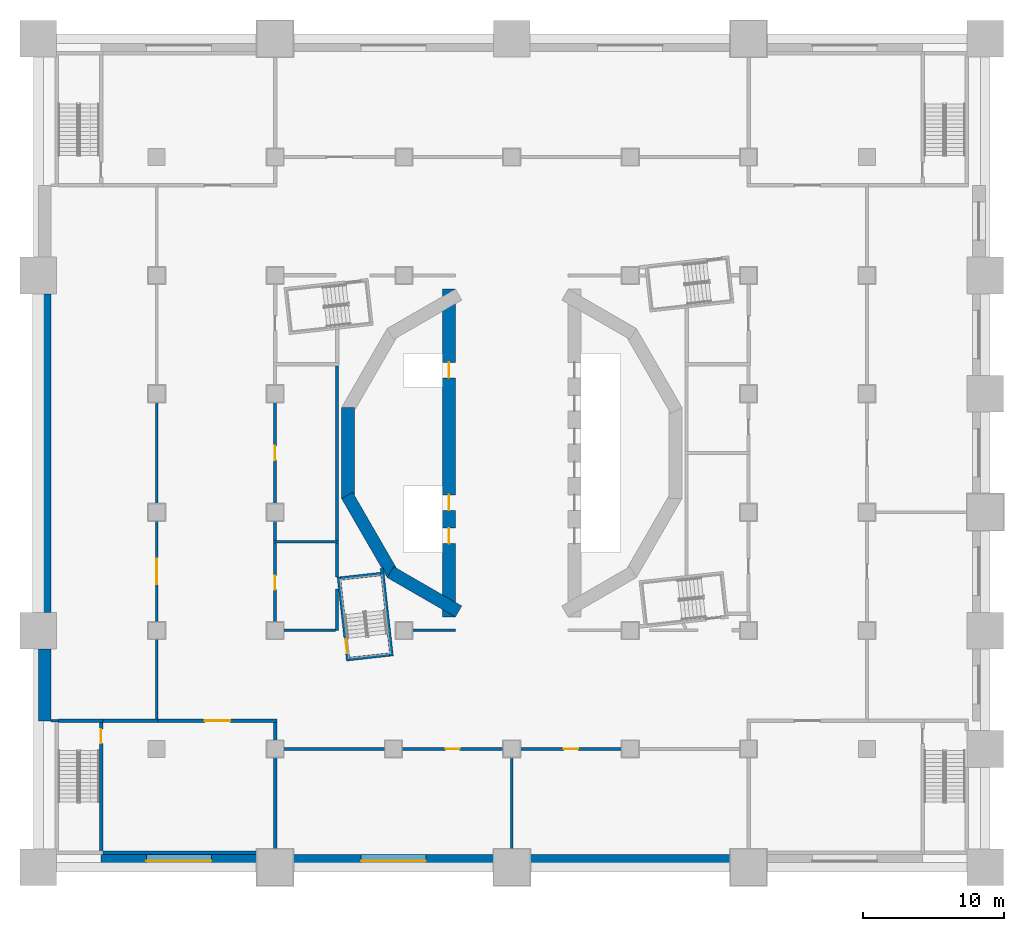
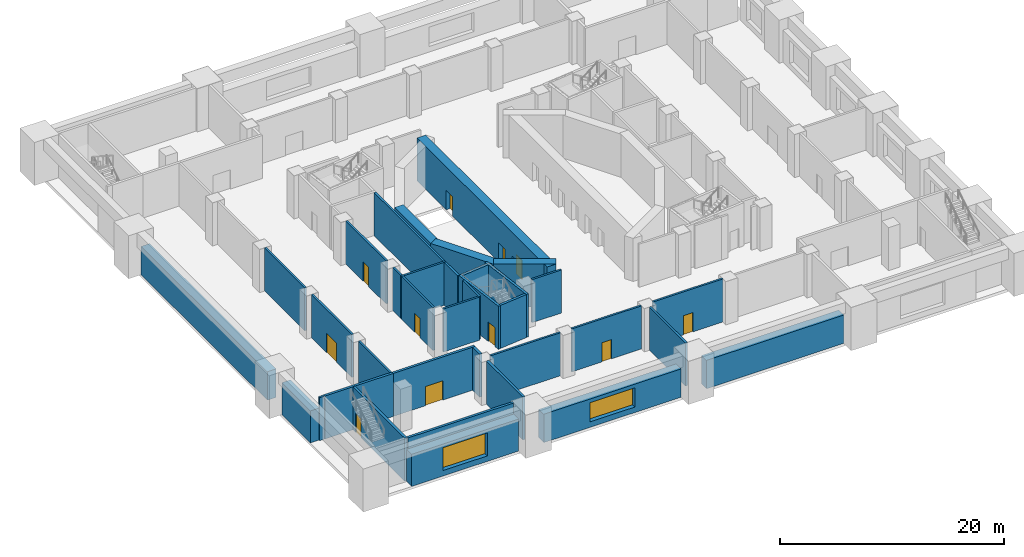
# One storey, part 2 of 17: 37 walls, 11 doors, 2 windows, 13 openings.
"""IFC4 building model written with IfcOpenShell, lengths in metres."""

from ifc_helpers import new_model, si_unit, direction, frame, frame_2d, origin, place, context, subcontext, project, spatial, rectangle, extrude, material, layer, layer_set, type_object, element, fill, save


model = new_model("IFC4")

# Units and contexts
model_context = context("Model", 3, precision=1e-05, world=origin(), true_north=direction((0.0, 1.0)))
body_context = subcontext(model_context, "Body", "Model", "MODEL_VIEW")
ifc_project = project(units=[si_unit("LENGTHUNIT", "METRE"), si_unit("AREAUNIT", "SQUARE_METRE"), si_unit("VOLUMEUNIT", "CUBIC_METRE"), si_unit("PLANEANGLEUNIT", "RADIAN"), si_unit("MASSUNIT", "GRAM", prefix="KILO")], contexts=[model_context])

# Site, building, storey
site_placement = place(None, origin())
site = spatial("IfcSite", under=ifc_project, at=site_placement, CompositionType="ELEMENT")
building_placement = place(site_placement, origin())
building = spatial("IfcBuilding", under=site, at=building_placement, Name="Cantera Rosa Tower", CompositionType="ELEMENT")
storey_placement = place(building_placement, frame((0.0, 0.0, 27.0)))
storey = spatial("IfcBuildingStorey", under=building, at=storey_placement, Name="L04", CompositionType="ELEMENT", Elevation=27.0)

# Walls
ifc_material_1 = material(Name="Masonry blockwork", Category="masonry")
ifc_layer_1 = layer(ifc_material_1, 0.199951171875)
ifc_layer_set_1 = layer_set([ifc_layer_1], Name="Blockwork partition 200")
wall_type_1 = type_object("IfcWallType", Name="Blockwork partition 200", PredefinedType="PARTITIONING", material=ifc_layer_set_1)
wall_1_placement = place(storey_placement, frame((-16.199951171875, -12.57666015625, 0.0), z_axis=(0.0, 0.0, 1.0), x_axis=(1.0, 0.0, 0.0)))
element("IfcWall", 1, at=wall_1_placement, inside=storey, type_object=wall_type_1, Name="Partition L04-1", PredefinedType="PARTITIONING", context=body_context, shape_type="SweptSolid", body=[
    extrude(rectangle(XDim=3.699951171875, YDim=0.199951171875, at=frame_2d((1.85009765625, 0.0))), origin(), (0.0, 0.0, 1.0), 4.699951171875),
])
wall_2_placement = place(storey_placement, frame((-7.050048828125, -12.57666015625, 0.0), z_axis=(0.0, 0.0, 1.0), x_axis=(1.0, 0.0, 0.0)))
element("IfcWall", 2, at=wall_2_placement, inside=storey, type_object=wall_type_1, Name="Partition L04-2", PredefinedType="PARTITIONING", context=body_context, shape_type="SweptSolid", body=[
    extrude(rectangle(XDim=3.050048828125, YDim=0.199951171875, at=frame_2d((1.52490234375, 0.0))), origin(), (0.0, 0.0, 1.0), 4.699951171875),
])
wall_3_placement = place(storey_placement, frame((-12.39990234375, -12.57666015625, 0.0), z_axis=(0.0, 0.0, 1.0), x_axis=(0.0, 1.0, 0.0)))
element("IfcWall", 3, at=wall_3_placement, inside=storey, type_object=wall_type_1, Name="Partition L04-7", PredefinedType="PARTITIONING", context=body_context, shape_type="SweptSolid", body=[
    extrude(rectangle(XDim=2.921142578125, YDim=0.199951171875, at=frame_2d((1.46044921875, 0.0))), origin(), (0.0, 0.0, 1.0), 4.699951171875),
])
wall_4_placement = place(storey_placement, frame((-12.39990234375, -8.802490234375, 0.0), z_axis=(0.0, 0.0, 1.0), x_axis=(0.0, 1.0, 0.0)))
element("IfcWall", 4, at=wall_4_placement, inside=storey, type_object=wall_type_1, Name="Partition L04-8", PredefinedType="PARTITIONING", context=body_context, shape_type="SweptSolid", body=[
    extrude(rectangle(XDim=2.402587890625, YDim=0.199951171875, at=frame_2d((1.201171875, 0.0))), origin(), (0.0, 0.0, 1.0), 4.699951171875),
])
wall_5_placement = place(storey_placement, frame((-12.39990234375, -6.199951171875, 0.0), z_axis=(0.0, 0.0, 1.0), x_axis=(0.0, 1.0, 0.0)))
element("IfcWall", 5, at=wall_5_placement, inside=storey, type_object=wall_type_1, Name="Partition L04-9", PredefinedType="PARTITIONING", context=body_context, shape_type="SweptSolid", body=[
    extrude(rectangle(XDim=12.375, YDim=0.199951171875, at=frame_2d((6.1875, 0.0))), origin(), (0.0, 0.0, 1.0), 4.699951171875),
])

# Wall, opening, door
wall_6_placement = place(storey_placement, frame((-16.800048828125, -12.0, 0.0), z_axis=(0.0, 0.0, 1.0), x_axis=(0.0, 1.0, 0.0)))
wall_6 = element("IfcWall", 6, at=wall_6_placement, inside=storey, type_object=wall_type_1, Name="Partition L04-37", PredefinedType="PARTITIONING", context=body_context, shape_type="SweptSolid", body=[
    extrude(rectangle(XDim=5.60009765625, YDim=0.199951171875, at=frame_2d((2.800048828125, 0.0))), origin(), (0.0, 0.0, 1.0), 4.699951171875),
])
opening_1_placement = place(wall_6_placement, frame((2.300048828125, 0.0, 0.0)))
opening_1 = element("IfcOpeningElement", 7, at=opening_1_placement, cuts=wall_6, Name="Opening L04-010", PredefinedType="OPENING", context=body_context, shape_type="SweptSolid", body=[
    extrude(rectangle(XDim=1.0, YDim=2.10009765625, at=frame_2d((0.5, 1.050048828125))), frame((0.0, 0.10986328125, 0.0), z_axis=(0.0, -1.0, 0.0), x_axis=(1.0, 0.0, 0.0)), (0.0, 0.0, 1.0), 0.219970703125),
])
ifc_material_2 = material(Name="Timber", Category="wood")
door_type_1 = type_object("IfcDoorType", Name="Door 1000x2100", OperationType="NOTDEFINED", PredefinedType="DOOR", material=ifc_material_2)
door_1_placement = place(opening_1_placement, origin())
door_1 = element("IfcDoor", 8, at=door_1_placement, inside=storey, type_object=door_type_1, Name="Door L04-010", OverallHeight=2.10009765625, OverallWidth=1.0, PredefinedType="DOOR", context=body_context, shape_type="SweptSolid", body=[
    extrude(rectangle(XDim=1.0, YDim=2.10009765625, at=frame_2d((0.5, 1.050048828125))), frame((0.0, 0.02490234375, 0.0), z_axis=(0.0, -1.0, 0.0), x_axis=(1.0, 0.0, 0.0)), (0.0, 0.0, 1.0), 0.050048828125),
])
fill(opening_1, door_1)

# Wall
wall_7_placement = place(storey_placement, frame((-16.800048828125, -6.199951171875, 0.0), z_axis=(0.0, 0.0, 1.0), x_axis=(0.0, 1.0, 0.0)))
element("IfcWall", 9, at=wall_7_placement, inside=storey, type_object=wall_type_1, Name="Partition L04-38", PredefinedType="PARTITIONING", context=body_context, shape_type="SweptSolid", body=[
    extrude(rectangle(XDim=1.39990234375, YDim=0.199951171875, at=frame_2d((0.699951171875, 0.0))), origin(), (0.0, 0.0, 1.0), 4.699951171875),
])

# Wall, opening, door
wall_8_placement = place(storey_placement, frame((-16.800048828125, -3.60009765625, 0.0), z_axis=(0.0, 0.0, 1.0), x_axis=(0.0, 1.0, 0.0)))
wall_8 = element("IfcWall", 10, at=wall_8_placement, inside=storey, type_object=wall_type_1, Name="Partition L04-39", PredefinedType="PARTITIONING", context=body_context, shape_type="SweptSolid", body=[
    extrude(rectangle(XDim=7.2001953125, YDim=0.199951171875, at=frame_2d((3.60009765625, 0.0))), origin(), (0.0, 0.0, 1.0), 4.699951171875),
])
opening_2_placement = place(wall_8_placement, frame((3.10009765625, 0.0, 0.0)))
opening_2 = element("IfcOpeningElement", 11, at=opening_2_placement, cuts=wall_8, Name="Opening L04-011", PredefinedType="OPENING", context=body_context, shape_type="SweptSolid", body=[
    extrude(rectangle(XDim=1.0, YDim=2.10009765625, at=frame_2d((0.5, 1.050048828125))), frame((0.0, 0.10986328125, 0.0), z_axis=(0.0, -1.0, 0.0), x_axis=(1.0, 0.0, 0.0)), (0.0, 0.0, 1.0), 0.219970703125),
])
door_2_placement = place(opening_2_placement, origin())
door_2 = element("IfcDoor", 12, at=door_2_placement, inside=storey, type_object=door_type_1, Name="Door L04-011", OverallHeight=2.10009765625, OverallWidth=1.0, PredefinedType="DOOR", context=body_context, shape_type="SweptSolid", body=[
    extrude(rectangle(XDim=1.0, YDim=2.10009765625, at=frame_2d((0.5, 1.050048828125))), frame((0.0, 0.02490234375, 0.0), z_axis=(0.0, -1.0, 0.0), x_axis=(1.0, 0.0, 0.0)), (0.0, 0.0, 1.0), 0.050048828125),
])
fill(opening_2, door_2)

# Walls
wall_9_placement = place(storey_placement, frame((-16.89990234375, -6.300048828125, 0.0), z_axis=(0.0, 0.0, 1.0), x_axis=(1.0, 0.0, 0.0)))
element("IfcWall", 13, at=wall_9_placement, inside=storey, type_object=wall_type_1, Name="Partition L04-44", PredefinedType="PARTITIONING", context=body_context, shape_type="SweptSolid", body=[
    extrude(rectangle(XDim=4.599853515625, YDim=0.199951171875, at=frame_2d((2.2998046875, 0.0))), origin(), (0.0, 0.0, 1.0), 4.699951171875),
])
wall_10_placement = place(storey_placement, frame((-32.699951171875, -19.0, 0.0), z_axis=(0.0, 0.0, 1.0), x_axis=(1.0, 0.0, 0.0)))
element("IfcWall", 14, at=wall_10_placement, inside=storey, type_object=wall_type_1, Name="Partition L04-65", PredefinedType="PARTITIONING", context=body_context, shape_type="SweptSolid", body=[
    extrude(rectangle(XDim=0.52490234375, YDim=0.199951171875, at=frame_2d((0.262451171875, 0.0))), origin(), (0.0, 0.0, 1.0), 4.699951171875),
])
wall_11_placement = place(storey_placement, frame((0.0, -28.10009765625, 0.0), z_axis=(0.0, 0.0, 1.0), x_axis=(0.0, 1.0, 0.0)))
element("IfcWall", 15, at=wall_11_placement, inside=storey, type_object=wall_type_1, Name="Partition L04-80", PredefinedType="PARTITIONING", context=body_context, shape_type="SweptSolid", body=[
    extrude(rectangle(XDim=6.5, YDim=0.199951171875, at=frame_2d((3.25, 0.0))), origin(), (0.0, 0.0, 1.0), 4.699951171875),
])
wall_12_placement = place(storey_placement, frame((-16.199951171875, -21.0, 0.0), z_axis=(0.0, 0.0, 1.0), x_axis=(1.0, 0.0, 0.0)))
element("IfcWall", 16, at=wall_12_placement, inside=storey, type_object=wall_type_1, Name="Partition L04-81", PredefinedType="PARTITIONING", context=body_context, shape_type="SweptSolid", body=[
    extrude(rectangle(XDim=7.199951171875, YDim=0.199951171875, at=frame_2d((3.60009765625, 0.0))), origin(), (0.0, 0.0, 1.0), 4.699951171875),
])

# Wall, opening, door
wall_13_placement = place(storey_placement, frame((-7.800048828125, -21.0, 0.0), z_axis=(0.0, 0.0, 1.0), x_axis=(1.0, 0.0, 0.0)))
wall_13 = element("IfcWall", 17, at=wall_13_placement, inside=storey, type_object=wall_type_1, Name="Partition L04-82", PredefinedType="PARTITIONING", context=body_context, shape_type="SweptSolid", body=[
    extrude(rectangle(XDim=7.199951171875, YDim=0.199951171875, at=frame_2d((3.60009765625, 0.0))), origin(), (0.0, 0.0, 1.0), 4.699951171875),
])
opening_3_placement = place(wall_13_placement, frame((3.10009765625, 0.0, 0.0)))
opening_3 = element("IfcOpeningElement", 18, at=opening_3_placement, cuts=wall_13, Name="Opening L04-002", PredefinedType="OPENING", context=body_context, shape_type="SweptSolid", body=[
    extrude(rectangle(XDim=1.0, YDim=2.10009765625, at=frame_2d((0.5, 1.050048828125))), frame((0.0, 0.10986328125, 0.0), z_axis=(0.0, -1.0, 0.0), x_axis=(1.0, 0.0, 0.0)), (0.0, 0.0, 1.0), 0.219970703125),
])
door_3_placement = place(opening_3_placement, origin())
door_3 = element("IfcDoor", 19, at=door_3_placement, inside=storey, type_object=door_type_1, Name="Door L04-002", OverallHeight=2.10009765625, OverallWidth=1.0, PredefinedType="DOOR", context=body_context, shape_type="SweptSolid", body=[
    extrude(rectangle(XDim=1.0, YDim=2.10009765625, at=frame_2d((0.5, 1.050048828125))), frame((0.0, 0.02490234375, 0.0), z_axis=(0.0, -1.0, 0.0), x_axis=(1.0, 0.0, 0.0)), (0.0, 0.0, 1.0), 0.050048828125),
])
fill(opening_3, door_3)

wall_14_placement = place(storey_placement, frame((0.60009765625, -21.0, 0.0), z_axis=(0.0, 0.0, 1.0), x_axis=(1.0, 0.0, 0.0)))
wall_14 = element("IfcWall", 20, at=wall_14_placement, inside=storey, type_object=wall_type_1, Name="Partition L04-83", PredefinedType="PARTITIONING", context=body_context, shape_type="SweptSolid", body=[
    extrude(rectangle(XDim=7.199951171875, YDim=0.199951171875, at=frame_2d((3.60009765625, 0.0))), origin(), (0.0, 0.0, 1.0), 4.699951171875),
])
opening_4_placement = place(wall_14_placement, frame((3.10009765625, 0.0, 0.0)))
opening_4 = element("IfcOpeningElement", 21, at=opening_4_placement, cuts=wall_14, Name="Opening L04-003", PredefinedType="OPENING", context=body_context, shape_type="SweptSolid", body=[
    extrude(rectangle(XDim=1.0, YDim=2.10009765625, at=frame_2d((0.5, 1.050048828125))), frame((0.0, 0.10986328125, 0.0), z_axis=(0.0, -1.0, 0.0), x_axis=(1.0, 0.0, 0.0)), (0.0, 0.0, 1.0), 0.219970703125),
])
door_4_placement = place(opening_4_placement, origin())
door_4 = element("IfcDoor", 22, at=door_4_placement, inside=storey, type_object=door_type_1, Name="Door L04-003", OverallHeight=2.10009765625, OverallWidth=1.0, PredefinedType="DOOR", context=body_context, shape_type="SweptSolid", body=[
    extrude(rectangle(XDim=1.0, YDim=2.10009765625, at=frame_2d((0.5, 1.050048828125))), frame((0.0, 0.02490234375, 0.0), z_axis=(0.0, -1.0, 0.0), x_axis=(1.0, 0.0, 0.0)), (0.0, 0.0, 1.0), 0.050048828125),
])
fill(opening_4, door_4)

# Wall
wall_15_placement = place(storey_placement, frame((-25.199951171875, -18.875, 0.0), z_axis=(0.0, 0.0, 1.0), x_axis=(0.0, 1.0, 0.0)))
element("IfcWall", 23, at=wall_15_placement, inside=storey, type_object=wall_type_1, Name="Partition L04-91", PredefinedType="PARTITIONING", context=body_context, shape_type="SweptSolid", body=[
    extrude(rectangle(XDim=5.675048828125, YDim=0.199951171875, at=frame_2d((2.83740234375, 0.0))), origin(), (0.0, 0.0, 1.0), 4.699951171875),
])

# Wall, opening, door
wall_16_placement = place(storey_placement, frame((-25.199951171875, -12.0, 0.0), z_axis=(0.0, 0.0, 1.0), x_axis=(0.0, 1.0, 0.0)))
wall_16 = element("IfcWall", 24, at=wall_16_placement, inside=storey, type_object=wall_type_1, Name="Partition L04-92", PredefinedType="PARTITIONING", context=body_context, shape_type="SweptSolid", body=[
    extrude(rectangle(XDim=7.199951171875, YDim=0.199951171875, at=frame_2d((3.60009765625, 0.0))), origin(), (0.0, 0.0, 1.0), 4.699951171875),
])
opening_5_placement = place(wall_16_placement, frame((2.699951171875, 0.0, 0.0)))
opening_5 = element("IfcOpeningElement", 25, at=opening_5_placement, cuts=wall_16, Name="Opening L04-006", PredefinedType="OPENING", context=body_context, shape_type="SweptSolid", body=[
    extrude(rectangle(XDim=1.800048828125, YDim=2.10009765625, at=frame_2d((0.89990234375, 1.050048828125))), frame((0.0, 0.10986328125, 0.0), z_axis=(0.0, -1.0, 0.0), x_axis=(1.0, 0.0, 0.0)), (0.0, 0.0, 1.0), 0.219970703125),
])
ifc_material_3 = material(Name="Timber", Category="wood")
door_type_2 = type_object("IfcDoorType", Name="Double door 1800x2100", OperationType="NOTDEFINED", PredefinedType="DOOR", material=ifc_material_3)
door_5_placement = place(opening_5_placement, origin())
door_5 = element("IfcDoor", 26, at=door_5_placement, inside=storey, type_object=door_type_2, Name="Door L04-006", OperationType="DOUBLE_DOOR_SINGLE_SWING", OverallHeight=2.10009765625, OverallWidth=1.800048828125, PredefinedType="DOOR", context=body_context, shape_type="SweptSolid", body=[
    extrude(rectangle(XDim=1.800048828125, YDim=2.10009765625, at=frame_2d((0.89990234375, 1.050048828125))), frame((0.0, 0.02490234375, 0.0), z_axis=(0.0, -1.0, 0.0), x_axis=(1.0, 0.0, 0.0)), (0.0, 0.0, 1.0), 0.050048828125),
])
fill(opening_5, door_5)

# Walls
wall_17_placement = place(storey_placement, frame((-25.199951171875, -3.60009765625, 0.0), z_axis=(0.0, 0.0, 1.0), x_axis=(0.0, 1.0, 0.0)))
element("IfcWall", 27, at=wall_17_placement, inside=storey, type_object=wall_type_1, Name="Partition L04-93", PredefinedType="PARTITIONING", context=body_context, shape_type="SweptSolid", body=[
    extrude(rectangle(XDim=7.2001953125, YDim=0.199951171875, at=frame_2d((3.60009765625, 0.0))), origin(), (0.0, 0.0, 1.0), 4.699951171875),
])
ifc_material_4 = material(Name="Concrete C70/85", Category="concrete")
ifc_layer_2 = layer(ifc_material_4, 0.89990234375)
ifc_layer_set_2 = layer_set([ifc_layer_2], Name="Drum wall 900")
wall_type_2 = type_object("IfcWallType", Name="Drum wall 900", PredefinedType="SHEAR", material=ifc_layer_set_2)
wall_18_placement = place(storey_placement, frame((-3.77490234375, -11.242919921875, 0.0), z_axis=(0.0, 0.0, 1.0), x_axis=(-0.866026961591, 0.49999730179, 0.0)))
element("IfcWall", 28, at=wall_18_placement, inside=storey, type_object=wall_type_2, Name="Drum wall west 1 L04", PredefinedType="SHEAR", context=body_context, shape_type="SweptSolid", body=[
    extrude(rectangle(XDim=5.58740234375, YDim=0.89990234375, at=frame_2d((2.793701171875, 0.0))), origin(), (0.0, 0.0, 1.0), 4.699951171875),
])
wall_19_placement = place(storey_placement, frame((-8.44921875, -8.61376953125, 0.0), z_axis=(0.0, 0.0, 1.0), x_axis=(-0.499990282633, 0.866031014036, 0.0)))
element("IfcWall", 29, at=wall_19_placement, inside=storey, type_object=wall_type_2, Name="Drum wall west 2 L04", PredefinedType="SHEAR", context=body_context, shape_type="SweptSolid", body=[
    extrude(rectangle(XDim=6.470458984375, YDim=0.89990234375, at=frame_2d((3.2353515625, 0.0))), origin(), (0.0, 0.0, 1.0), 4.699951171875),
])
wall_20_placement = place(storey_placement, frame((-11.6240234375, -3.2353515625, 0.0), z_axis=(0.0, 0.0, 1.0), x_axis=(0.0, 1.0, 0.0)))
element("IfcWall", 30, at=wall_20_placement, inside=storey, type_object=wall_type_2, Name="Drum wall west 3 L04", PredefinedType="SHEAR", context=body_context, shape_type="SweptSolid", body=[
    extrude(rectangle(XDim=6.470703125, YDim=0.89990234375, at=frame_2d((3.2353515625, 0.0))), origin(), (0.0, 0.0, 1.0), 4.699951171875),
])

# Wall, openings, doors
wall_21_placement = place(storey_placement, frame((-4.449951171875, 11.632568359375, 0.0), z_axis=(0.0, 0.0, 1.0), x_axis=(0.0, -1.0, 0.0)))
wall_21 = element("IfcWall", 31, at=wall_21_placement, inside=storey, type_object=wall_type_2, Name="Drum wall west 6 L04", PredefinedType="SHEAR", context=body_context, shape_type="SweptSolid", body=[
    extrude(rectangle(XDim=23.26513671875, YDim=0.89990234375, at=frame_2d((11.632568359375, 0.0))), origin(), (0.0, 0.0, 1.0), 4.699951171875),
])
opening_6_placement = place(wall_21_placement, frame((14.607421875, 0.0, 0.0)))
opening_6 = element("IfcOpeningElement", 32, at=opening_6_placement, cuts=wall_21, Name="Opening LD-P3-L04", PredefinedType="OPENING", context=body_context, shape_type="SweptSolid", body=[
    extrude(rectangle(XDim=1.10009765625, YDim=2.10009765625, at=frame_2d((0.550048828125, 1.050048828125))), frame((0.0, 0.4599609375, 0.0), z_axis=(0.0, -1.0, 0.0), x_axis=(1.0, 0.0, 0.0)), (0.0, 0.0, 1.0), 0.919921875),
])
opening_7_placement = place(wall_21_placement, frame((16.95751953125, 0.0, 0.0)))
opening_7 = element("IfcOpeningElement", 33, at=opening_7_placement, cuts=wall_21, Name="Opening LD-P4-L04", PredefinedType="OPENING", context=body_context, shape_type="SweptSolid", body=[
    extrude(rectangle(XDim=1.10009765625, YDim=2.10009765625, at=frame_2d((0.550048828125, 1.050048828125))), frame((0.0, 0.4599609375, 0.0), z_axis=(0.0, -1.0, 0.0), x_axis=(1.0, 0.0, 0.0)), (0.0, 0.0, 1.0), 0.919921875),
])
opening_8_placement = place(wall_21_placement, frame((5.20751953125, 0.0, 0.0)))
opening_8 = element("IfcOpeningElement", 34, at=opening_8_placement, cuts=wall_21, Name="Opening LD-P5-L04", PredefinedType="OPENING", context=body_context, shape_type="SweptSolid", body=[
    extrude(rectangle(XDim=1.10009765625, YDim=2.10009765625, at=frame_2d((0.550048828125, 1.050048828125))), frame((0.0, 0.4599609375, 0.0), z_axis=(0.0, -1.0, 0.0), x_axis=(1.0, 0.0, 0.0)), (0.0, 0.0, 1.0), 0.919921875),
])
ifc_material_5 = material(Name="Steel S355J2 (EN 10025-2)", Category="steel")
door_type_3 = type_object("IfcDoorType", Name="LANDING DOOR 1100x2100", OperationType="NOTDEFINED", PredefinedType="DOOR", material=ifc_material_5)
door_6_placement = place(opening_6_placement, origin())
door_6 = element("IfcDoor", 35, at=door_6_placement, inside=storey, type_object=door_type_3, Name="LANDING DOOR P3 L04", OperationType="SLIDING_TO_LEFT", OverallHeight=2.10009765625, OverallWidth=1.10009765625, PredefinedType="DOOR", context=body_context, shape_type="SweptSolid", body=[
    extrude(rectangle(XDim=1.10009765625, YDim=2.10009765625, at=frame_2d((0.550048828125, 1.050048828125))), frame((0.0, 0.02490234375, 0.0), z_axis=(0.0, -1.0, 0.0), x_axis=(1.0, 0.0, 0.0)), (0.0, 0.0, 1.0), 0.050048828125),
])
fill(opening_6, door_6)
door_7_placement = place(opening_7_placement, origin())
door_7 = element("IfcDoor", 36, at=door_7_placement, inside=storey, type_object=door_type_3, Name="LANDING DOOR P4 L04", OperationType="SLIDING_TO_LEFT", OverallHeight=2.10009765625, OverallWidth=1.10009765625, PredefinedType="DOOR", context=body_context, shape_type="SweptSolid", body=[
    extrude(rectangle(XDim=1.10009765625, YDim=2.10009765625, at=frame_2d((0.550048828125, 1.050048828125))), frame((0.0, 0.02490234375, 0.0), z_axis=(0.0, -1.0, 0.0), x_axis=(1.0, 0.0, 0.0)), (0.0, 0.0, 1.0), 0.050048828125),
])
fill(opening_7, door_7)
door_8_placement = place(opening_8_placement, origin())
door_8 = element("IfcDoor", 37, at=door_8_placement, inside=storey, type_object=door_type_3, Name="LANDING DOOR P5 L04", OperationType="SLIDING_TO_LEFT", OverallHeight=2.10009765625, OverallWidth=1.10009765625, PredefinedType="DOOR", context=body_context, shape_type="SweptSolid", body=[
    extrude(rectangle(XDim=1.10009765625, YDim=2.10009765625, at=frame_2d((0.550048828125, 1.050048828125))), frame((0.0, 0.02490234375, 0.0), z_axis=(0.0, -1.0, 0.0), x_axis=(1.0, 0.0, 0.0)), (0.0, 0.0, 1.0), 0.050048828125),
])
fill(opening_8, door_8)

# Walls
ifc_material_6 = material(Name="Masonry blockwork", Category="masonry")
ifc_layer_3 = layer(ifc_material_6, 0.25)
ifc_layer_set_3 = layer_set([ifc_layer_3], Name="Fire-rated external wall 250")
wall_type_3 = type_object("IfcWallType", Name="Fire-rated external wall 250", PredefinedType="PARTITIONING", material=ifc_layer_set_3)
wall_22_placement = place(storey_placement, frame((-29.02490234375, -28.375, 0.0), z_axis=(0.0, 0.0, 1.0), x_axis=(1.0, 0.0, 0.0)))
element("IfcWall", 38, at=wall_22_placement, inside=storey, type_object=wall_type_3, Name="Fire wall L04-73", PredefinedType="PARTITIONING", context=body_context, shape_type="SweptSolid", body=[
    extrude(rectangle(XDim=10.9248046875, YDim=0.25, at=frame_2d((5.46240234375, 0.0))), origin(), (0.0, 0.0, 1.0), 4.699951171875),
])
ifc_material_7 = material(Name="Masonry blockwork", Category="masonry")
ifc_layer_4 = layer(ifc_material_7, 0.25)
ifc_layer_set_4 = layer_set([ifc_layer_4], Name="Fire-rated wall 250")
wall_type_4 = type_object("IfcWallType", Name="Fire-rated wall 250", PredefinedType="PARTITIONING", material=ifc_layer_set_4)
wall_23_placement = place(storey_placement, frame((-16.800048828125, -28.10009765625, 0.0), z_axis=(0.0, 0.0, 1.0), x_axis=(0.0, 1.0, 0.0)))
element("IfcWall", 39, at=wall_23_placement, inside=storey, type_object=wall_type_4, Name="Fire wall L04-35", PredefinedType="PARTITIONING", context=body_context, shape_type="SweptSolid", body=[
    extrude(rectangle(XDim=6.5, YDim=0.25, at=frame_2d((3.25, 0.0))), origin(), (0.0, 0.0, 1.0), 4.699951171875),
])
wall_24_placement = place(storey_placement, frame((-16.800048828125, -20.39990234375, 0.0), z_axis=(0.0, 0.0, 1.0), x_axis=(0.0, 1.0, 0.0)))
element("IfcWall", 40, at=wall_24_placement, inside=storey, type_object=wall_type_4, Name="Fire wall L04-36", PredefinedType="PARTITIONING", context=body_context, shape_type="SweptSolid", body=[
    extrude(rectangle(XDim=1.27490234375, YDim=0.25, at=frame_2d((0.637451171875, 0.0))), origin(), (0.0, 0.0, 1.0), 4.699951171875),
])
wall_25_placement = place(storey_placement, frame((-29.02490234375, -19.0, 0.0), z_axis=(0.0, 0.0, 1.0), x_axis=(1.0, 0.0, 0.0)))
element("IfcWall", 41, at=wall_25_placement, inside=storey, type_object=wall_type_4, Name="Fire wall L04-67", PredefinedType="PARTITIONING", context=body_context, shape_type="SweptSolid", body=[
    extrude(rectangle(XDim=3.9248046875, YDim=0.25, at=frame_2d((1.96240234375, 0.0))), origin(), (0.0, 0.0, 1.0), 4.699951171875),
])

# Wall, opening, door
wall_26_placement = place(storey_placement, frame((-25.10009765625, -19.0, 0.0), z_axis=(0.0, 0.0, 1.0), x_axis=(1.0, 0.0, 0.0)))
wall_26 = element("IfcWall", 42, at=wall_26_placement, inside=storey, type_object=wall_type_4, Name="Fire wall L04-68", PredefinedType="PARTITIONING", context=body_context, shape_type="SweptSolid", body=[
    extrude(rectangle(XDim=8.425048828125, YDim=0.25, at=frame_2d((4.21240234375, 0.0))), origin(), (0.0, 0.0, 1.0), 4.699951171875),
])
opening_9_placement = place(wall_26_placement, frame((3.3125, 0.0, 0.0)))
opening_9 = element("IfcOpeningElement", 43, at=opening_9_placement, cuts=wall_26, Name="Opening L04-019", PredefinedType="OPENING", context=body_context, shape_type="SweptSolid", body=[
    extrude(rectangle(XDim=1.800048828125, YDim=2.10009765625, at=frame_2d((0.89990234375, 1.050048828125))), frame((0.0, 0.135009765625, 0.0), z_axis=(0.0, -1.0, 0.0), x_axis=(1.0, 0.0, 0.0)), (0.0, 0.0, 1.0), 0.27001953125),
])
ifc_material_8 = material(Name="Steel S355J2 (EN 10025-2)", Category="steel")
door_type_4 = type_object("IfcDoorType", Name="Fire double door 1800x2100", OperationType="NOTDEFINED", PredefinedType="DOOR", material=ifc_material_8)
door_9_placement = place(opening_9_placement, origin())
door_9 = element("IfcDoor", 44, at=door_9_placement, inside=storey, type_object=door_type_4, Name="Door L04-019", OperationType="DOUBLE_DOOR_SINGLE_SWING", OverallHeight=2.10009765625, OverallWidth=1.800048828125, PredefinedType="DOOR", context=body_context, shape_type="SweptSolid", body=[
    extrude(rectangle(XDim=1.800048828125, YDim=2.10009765625, at=frame_2d((0.89990234375, 1.050048828125))), frame((0.0, 0.02490234375, 0.0), z_axis=(0.0, -1.0, 0.0), x_axis=(1.0, 0.0, 0.0)), (0.0, 0.0, 1.0), 0.050048828125),
])
fill(opening_9, door_9)

ifc_material_9 = material(Name="Concrete C50/60", Category="concrete")
ifc_layer_5 = layer(ifc_material_9, 0.25)
ifc_layer_set_5 = layer_set([ifc_layer_5], Name="RC stair wall 250 C50/60")
wall_type_5 = type_object("IfcWallType", Name="RC stair wall 250", PredefinedType="SOLIDWALL", material=ifc_layer_set_5)
wall_27_placement = place(storey_placement, frame((-29.14990234375, -28.375, 0.0), z_axis=(0.0, 0.0, 1.0), x_axis=(0.0, 1.0, 0.0)))
wall_27 = element("IfcWall", 45, at=wall_27_placement, inside=storey, type_object=wall_type_5, Name="Stair wall L04-61", PredefinedType="SOLIDWALL", context=body_context, shape_type="SweptSolid", body=[
    extrude(rectangle(XDim=9.25, YDim=0.25, at=frame_2d((4.625, 0.0))), origin(), (0.0, 0.0, 1.0), 4.699951171875),
])
opening_10_placement = place(wall_27_placement, frame((7.77490234375, 0.0, 0.0)))
opening_10 = element("IfcOpeningElement", 46, at=opening_10_placement, cuts=wall_27, Name="Opening L04-020", PredefinedType="OPENING", context=body_context, shape_type="SweptSolid", body=[
    extrude(rectangle(XDim=1.0, YDim=2.10009765625, at=frame_2d((0.5, 1.050048828125))), frame((0.0, 0.135009765625, 0.0), z_axis=(0.0, -1.0, 0.0), x_axis=(1.0, 0.0, 0.0)), (0.0, 0.0, 1.0), 0.27001953125),
])
ifc_material_10 = material(Name="Steel S355J2 (EN 10025-2)", Category="steel")
door_type_5 = type_object("IfcDoorType", Name="Fire door 1000x2100 EI 120", OperationType="NOTDEFINED", PredefinedType="DOOR", material=ifc_material_10)
door_10_placement = place(opening_10_placement, origin())
door_10 = element("IfcDoor", 47, at=door_10_placement, inside=storey, type_object=door_type_5, Name="Door L04-020", OverallHeight=2.10009765625, OverallWidth=1.0, PredefinedType="DOOR", context=body_context, shape_type="SweptSolid", body=[
    extrude(rectangle(XDim=1.0, YDim=2.10009765625, at=frame_2d((0.5, 1.050048828125))), frame((0.0, 0.02490234375, 0.0), z_axis=(0.0, -1.0, 0.0), x_axis=(1.0, 0.0, 0.0)), (0.0, 0.0, 1.0), 0.050048828125),
])
fill(opening_10, door_10)

# Walls
wall_28_placement = place(storey_placement, frame((-32.175048828125, -19.0, 0.0), z_axis=(0.0, 0.0, 1.0), x_axis=(1.0, 0.0, 0.0)))
element("IfcWall", 48, at=wall_28_placement, inside=storey, type_object=wall_type_5, Name="Stair wall L04-66", PredefinedType="SOLIDWALL", context=body_context, shape_type="SweptSolid", body=[
    extrude(rectangle(XDim=3.150146484375, YDim=0.25, at=frame_2d((1.5751953125, 0.0))), origin(), (0.0, 0.0, 1.0), 4.699951171875),
])
wall_29_placement = place(storey_placement, frame((-8.66650390625, -14.30029296875, 0.0), z_axis=(0.0, 0.0, 1.0), x_axis=(-0.993904609394, -0.110243491536, 0.0)))
element("IfcWall", 49, at=wall_29_placement, inside=storey, type_object=wall_type_5, Name="Stair wall ST-13 L04-1", PredefinedType="SOLIDWALL", context=body_context, shape_type="SweptSolid", body=[
    extrude(rectangle(XDim=2.85009765625, YDim=0.25, at=frame_2d((1.425048828125, 0.0))), origin(), (0.0, 0.0, 1.0), 4.699951171875),
])

# Wall, opening, door
wall_30_placement = place(storey_placement, frame((-11.609619140625, -14.752685546875, 0.0), z_axis=(0.0, 0.0, 1.0), x_axis=(-0.110310943534, 0.993897125329, 0.0)))
wall_30 = element("IfcWall", 50, at=wall_30_placement, inside=storey, type_object=wall_type_5, Name="Stair wall ST-13 L04-2", PredefinedType="SOLIDWALL", context=body_context, shape_type="SweptSolid", body=[
    extrude(rectangle(XDim=6.0, YDim=0.25, at=frame_2d((3.0, 0.0))), origin(), (0.0, 0.0, 1.0), 4.699951171875),
])
opening_11_placement = place(wall_30_placement, frame((0.550048828125, 0.0, 0.0)))
opening_11 = element("IfcOpeningElement", 51, at=opening_11_placement, cuts=wall_30, Name="Opening L04-ST-13", PredefinedType="OPENING", context=body_context, shape_type="SweptSolid", body=[
    extrude(rectangle(XDim=1.0, YDim=2.10009765625, at=frame_2d((0.5, 1.050048828125))), frame((0.0, 0.135009765625, 0.0), z_axis=(0.0, -1.0, 0.0), x_axis=(1.0, 0.0, 0.0)), (0.0, 0.0, 1.0), 0.27001953125),
])
door_11_placement = place(opening_11_placement, origin())
door_11 = element("IfcDoor", 52, at=door_11_placement, inside=storey, type_object=door_type_5, Name="Door L04-ST-13", OverallHeight=2.10009765625, OverallWidth=1.0, PredefinedType="DOOR", context=body_context, shape_type="SweptSolid", body=[
    extrude(rectangle(XDim=1.0, YDim=2.10009765625, at=frame_2d((0.5, 1.050048828125))), frame((0.0, 0.02490234375, 0.0), z_axis=(0.0, -1.0, 0.0), x_axis=(1.0, 0.0, 0.0)), (0.0, 0.0, 1.0), 0.050048828125),
])
fill(opening_11, door_11)

# Walls
wall_31_placement = place(storey_placement, frame((-12.133544921875, -8.899658203125, 0.0), z_axis=(0.0, 0.0, 1.0), x_axis=(0.993904609394, 0.110243491536, 0.0)))
element("IfcWall", 53, at=wall_31_placement, inside=storey, type_object=wall_type_5, Name="Stair wall ST-13 L04-3", PredefinedType="SOLIDWALL", context=body_context, shape_type="SweptSolid", body=[
    extrude(rectangle(XDim=2.85009765625, YDim=0.25, at=frame_2d((1.425048828125, 0.0))), origin(), (0.0, 0.0, 1.0), 4.699951171875),
])
wall_32_placement = place(storey_placement, frame((-9.22021484375, -8.17822265625, 0.0), z_axis=(0.0, 0.0, 1.0), x_axis=(0.110299055694, -0.993898444668, 0.0)))
element("IfcWall", 54, at=wall_32_placement, inside=storey, type_object=wall_type_5, Name="Stair wall ST-13 L04-4", PredefinedType="SOLIDWALL", context=body_context, shape_type="SweptSolid", body=[
    extrude(rectangle(XDim=6.270751953125, YDim=0.25, at=frame_2d((3.13525390625, 0.0))), origin(), (0.0, 0.0, 1.0), 4.699951171875),
])

# Wall, opening, window
ifc_material_11 = material(Name="Concrete C40/50 with limestone facing", Category="masonry")
ifc_layer_6 = layer(ifc_material_11, 0.89990234375)
ifc_layer_set_6 = layer_set([ifc_layer_6], Name="Stone podium wall 900")
wall_type_6 = type_object("IfcWallType", Name="Stone podium wall 900", PredefinedType="SOLIDWALL", material=ifc_layer_set_6)
wall_33_placement = place(storey_placement, frame((-18.10009765625, -28.949951171875, 0.0), z_axis=(0.0, 0.0, 1.0), x_axis=(-1.0, 0.0, 0.0)))
wall_33 = element("IfcWall", 55, at=wall_33_placement, inside=storey, type_object=wall_type_6, Name="Stone wall S L04-1", PredefinedType="SOLIDWALL", context=body_context, shape_type="SweptSolid", body=[
    extrude(rectangle(XDim=11.0498046875, YDim=0.89990234375, at=frame_2d((5.52490234375, 0.0))), origin(), (0.0, 0.0, 1.0), 3.5),
])
opening_12_placement = place(wall_33_placement, frame((3.22509765625, 0.0, 0.60009765625)))
opening_12 = element("IfcOpeningElement", 56, at=opening_12_placement, cuts=wall_33, Name="Opening L04-PWS1", PredefinedType="OPENING", context=body_context, shape_type="SweptSolid", body=[
    extrude(rectangle(XDim=4.60009765625, YDim=2.5, at=frame_2d((2.300048828125, 1.25))), frame((0.0, 0.4599609375, 0.0), z_axis=(0.0, -1.0, 0.0), x_axis=(1.0, 0.0, 0.0)), (0.0, 0.0, 1.0), 0.919921875),
])
ifc_material_12 = material(Name="Glass", Category="glass")
window_type_1 = type_object("IfcWindowType", Name="Podium window 4600x2500", PartitioningType="SINGLE_PANEL", PredefinedType="WINDOW", material=ifc_material_12)
window_1_placement = place(opening_12_placement, origin())
window_1 = element("IfcWindow", 57, at=window_1_placement, inside=storey, type_object=window_type_1, Name="Podium window L04-S1", OverallHeight=2.5, OverallWidth=4.60009765625, PartitioningType="SINGLE_PANEL", PredefinedType="WINDOW", context=body_context, shape_type="SweptSolid", body=[
    extrude(rectangle(XDim=4.60009765625, YDim=2.5, at=frame_2d((2.300048828125, 1.25))), frame((0.0, 0.030029296875, 0.0), z_axis=(0.0, -1.0, 0.0), x_axis=(1.0, 0.0, 0.0)), (0.0, 0.0, 1.0), 0.06005859375),
])
fill(opening_12, window_1)

# Wall
wall_34_placement = place(storey_placement, frame((-33.14990234375, -13.89990234375, 0.0), z_axis=(0.0, 0.0, 1.0), x_axis=(0.0, -1.0, 0.0)))
element("IfcWall", 58, at=wall_34_placement, inside=storey, type_object=wall_type_6, Name="Stone wall W L04-1", PredefinedType="SOLIDWALL", context=body_context, shape_type="SweptSolid", body=[
    extrude(rectangle(XDim=5.10009765625, YDim=0.89990234375, at=frame_2d((2.550048828125, 0.0))), origin(), (0.0, 0.0, 1.0), 3.5),
])

# Wall, opening, window
ifc_material_13 = material(Name="Concrete C40/50 with limestone facing", Category="masonry")
ifc_layer_7 = layer(ifc_material_13, 0.89990234375)
ifc_layer_set_7 = layer_set([ifc_layer_7], Name="Stone podium wall 900 under deep girder")
wall_type_7 = type_object("IfcWallType", Name="Stone podium wall 900 under deep girder", PredefinedType="SOLIDWALL", material=ifc_layer_set_7)
wall_35_placement = place(storey_placement, frame((-1.300048828125, -28.949951171875, 0.0), z_axis=(0.0, 0.0, 1.0), x_axis=(-1.0, 0.0, 0.0)))
wall_35 = element("IfcWall", 59, at=wall_35_placement, inside=storey, type_object=wall_type_7, Name="Stone wall S L04-2", PredefinedType="SOLIDWALL", context=body_context, shape_type="SweptSolid", body=[
    extrude(rectangle(XDim=14.199951171875, YDim=0.89990234375, at=frame_2d((7.10009765625, 0.0))), origin(), (0.0, 0.0, 1.0), 3.10009765625),
])
opening_13_placement = place(wall_35_placement, frame((4.800048828125, 0.0, 0.60009765625)))
opening_13 = element("IfcOpeningElement", 60, at=opening_13_placement, cuts=wall_35, Name="Opening L04-PWS2", PredefinedType="OPENING", context=body_context, shape_type="SweptSolid", body=[
    extrude(rectangle(XDim=4.60009765625, YDim=2.10009765625, at=frame_2d((2.300048828125, 1.050048828125))), frame((0.0, 0.4599609375, 0.0), z_axis=(0.0, -1.0, 0.0), x_axis=(1.0, 0.0, 0.0)), (0.0, 0.0, 1.0), 0.919921875),
])
ifc_material_14 = material(Name="Glass", Category="glass")
window_type_2 = type_object("IfcWindowType", Name="Podium window 4600x2100", PartitioningType="SINGLE_PANEL", PredefinedType="WINDOW", material=ifc_material_14)
window_2_placement = place(opening_13_placement, origin())
window_2 = element("IfcWindow", 61, at=window_2_placement, inside=storey, type_object=window_type_2, Name="Podium window L04-S2", OverallHeight=2.10009765625, OverallWidth=4.60009765625, PartitioningType="SINGLE_PANEL", PredefinedType="WINDOW", context=body_context, shape_type="SweptSolid", body=[
    extrude(rectangle(XDim=4.60009765625, YDim=2.10009765625, at=frame_2d((2.300048828125, 1.050048828125))), frame((0.0, 0.030029296875, 0.0), z_axis=(0.0, -1.0, 0.0), x_axis=(1.0, 0.0, 0.0)), (0.0, 0.0, 1.0), 0.06005859375),
])
fill(opening_13, window_2)

# Walls
wall_36_placement = place(storey_placement, frame((15.5, -28.949951171875, 0.0), z_axis=(0.0, 0.0, 1.0), x_axis=(-1.0, 0.0, 0.0)))
element("IfcWall", 62, at=wall_36_placement, inside=storey, type_object=wall_type_7, Name="Stone wall S L04-3", PredefinedType="SOLIDWALL", context=body_context, shape_type="SweptSolid", body=[
    extrude(rectangle(XDim=14.199951171875, YDim=0.89990234375, at=frame_2d((7.10009765625, 0.0))), origin(), (0.0, 0.0, 1.0), 3.10009765625),
])
wall_37_placement = place(storey_placement, frame((-33.14990234375, 11.300048828125, 0.0), z_axis=(0.0, 0.0, 1.0), x_axis=(0.0, -1.0, 0.0)))
element("IfcWall", 63, at=wall_37_placement, inside=storey, type_object=wall_type_7, Name="Stone wall W L04-2", PredefinedType="SOLIDWALL", context=body_context, shape_type="SweptSolid", body=[
    extrude(rectangle(XDim=22.60009765625, YDim=0.89990234375, at=frame_2d((11.300048828125, 0.0))), origin(), (0.0, 0.0, 1.0), 3.10009765625),
])

save(model, "model.ifc")
